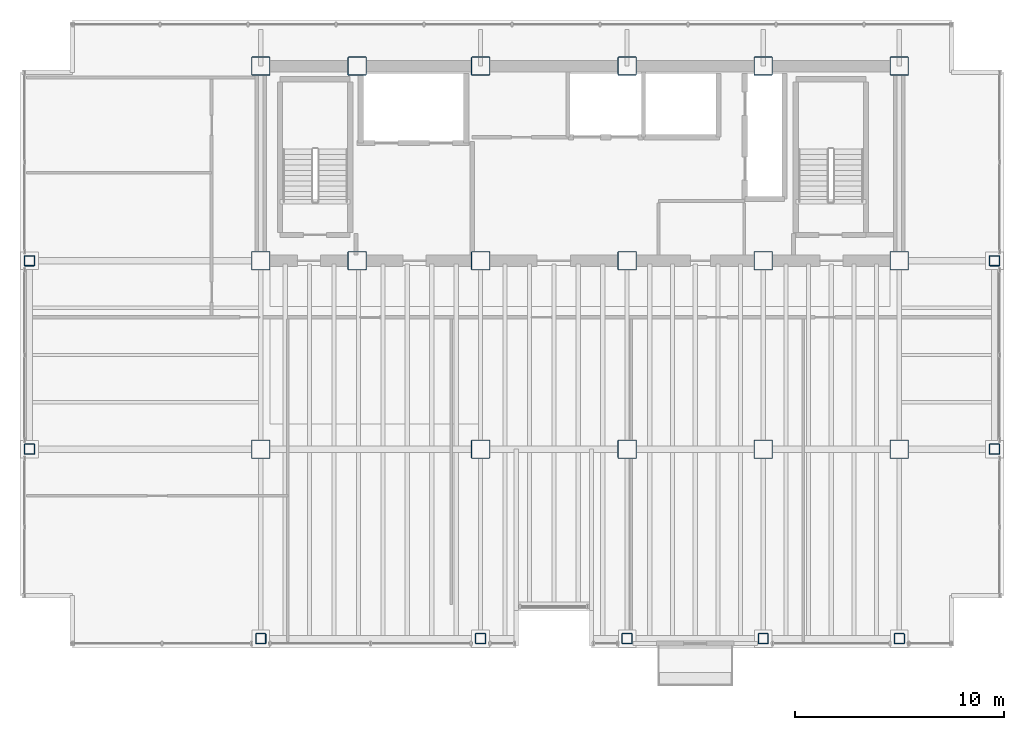
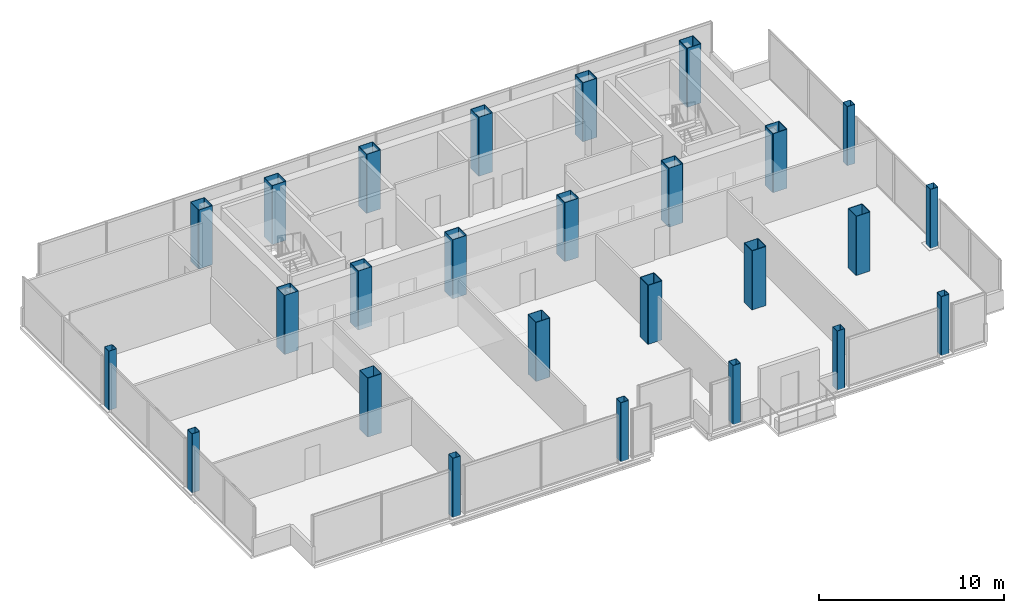
# One storey, part 1 of 20: 26 columns.
"""IFC4 building model written with IfcOpenShell, lengths in metres."""

import ifcopenshell
import ifcopenshell.guid

model = None  # the IFC model being written
_history = None  # IfcOwnerHistory: only IFC2X3 demands one
_inside = {}  # id of a spatial element -> (the spatial element, [elements in it])
_under = {}  # id of a project, library or spatial element -> (it, [spatial elements below it])
_declared = {}  # id of a project -> (the project, [libraries it declares])
_typed = {}  # id of a type object -> (the type object, [elements of that type])
_made_of = {}  # id of a material, layer set ... -> (it, [elements and type objects made of it])


def new_model(schema):
    """Start an empty IFC model of exactly this schema.

    Asked for "IFC4X3", IfcOpenShell would pick the latest addendum, in which some entities
    have other attributes; the version numbers below select the first issue.
    IFC2X3 requires an IfcOwnerHistory on every rooted entity: one is made here for all.
    """
    global model, _history
    if schema == "IFC4X3":
        model = ifcopenshell.file(schema_version=(4, 3, 0, 0))
    else:
        model = ifcopenshell.file(schema=schema)
    _inside.clear()
    _under.clear()
    _declared.clear()
    _typed.clear()
    _made_of.clear()
    _history = None
    if model.schema == "IFC2X3":
        org = make("IfcOrganization", Name="unknown")
        user = make(
            "IfcPersonAndOrganization",
            ThePerson=make("IfcPerson", FamilyName="unknown"),
            TheOrganization=org,
        )
        app = make(
            "IfcApplication",
            ApplicationDeveloper=org,
            Version="unknown",
            ApplicationFullName="unknown",
            ApplicationIdentifier="unknown",
        )
        _history = make(
            "IfcOwnerHistory",
            OwningUser=user,
            OwningApplication=app,
            ChangeAction="ADDED",
            CreationDate=0,
        )
    return model


def make(cls, **values):
    """One entity of the class cls with the attributes given. An attribute that is None is left unset."""
    return model.create_entity(
        cls, **{name: value for name, value in values.items() if value is not None}
    )


def rooted(cls, **values):
    """An entity with a GlobalId (a new one), such as an element, a storey or a relation."""
    return make(cls, GlobalId=ifcopenshell.guid.new(), OwnerHistory=_history, **values)


def si_unit(unit_type, name, prefix=None):
    """IfcSIUnit, for example si_unit("LENGTHUNIT", "METRE", prefix="MILLI")."""
    return make("IfcSIUnit", UnitType=unit_type, Prefix=prefix, Name=name)


def assignment(units):
    """IfcUnitAssignment: the units of a project."""
    return None if units is None else make("IfcUnitAssignment", Units=units)


def point(xyz):
    """IfcCartesianPoint."""
    return None if xyz is None else make("IfcCartesianPoint", Coordinates=xyz)


def direction(xyz):
    """IfcDirection."""
    return None if xyz is None else make("IfcDirection", DirectionRatios=xyz)


def frame(location, z_axis=None, x_axis=None):
    """IfcAxis2Placement3D, a coordinate frame: its origin and axes. An axis left out is left unset."""
    return make(
        "IfcAxis2Placement3D",
        Location=point(location),
        Axis=direction(z_axis),
        RefDirection=direction(x_axis),
    )


def frame_2d(location, x_axis=None):
    """IfcAxis2Placement2D, a coordinate frame in the plane: its origin and x axis."""
    return make(
        "IfcAxis2Placement2D", Location=point(location), RefDirection=direction(x_axis)
    )


def origin():
    """The frame at (0, 0, 0) with its axes left unset."""
    return frame((0.0, 0.0, 0.0))


def origin_2d():
    """The frame at (0, 0) in the plane with its x axis left unset."""
    return frame_2d((0.0, 0.0))


def place(relative_to, where):
    """IfcLocalPlacement: puts the frame where relative to a parent placement (None: the world)."""
    return make(
        "IfcLocalPlacement", PlacementRelTo=relative_to, RelativePlacement=where
    )


def context(
    kind, dimensions, precision=None, world=None, true_north=None, identifier=None
):
    """IfcGeometricRepresentationContext, for example the 3D "Model" context."""
    return make(
        "IfcGeometricRepresentationContext",
        ContextIdentifier=identifier,
        ContextType=kind,
        CoordinateSpaceDimension=dimensions,
        Precision=precision,
        WorldCoordinateSystem=world,
        TrueNorth=true_north,
    )


def subcontext(parent, identifier, kind, view, scale=None):
    """IfcGeometricRepresentationSubContext, for example "Body" below "Model"."""
    return make(
        "IfcGeometricRepresentationSubContext",
        ContextIdentifier=identifier,
        ContextType=kind,
        ParentContext=parent,
        TargetScale=scale,
        TargetView=view,
    )


def project(units=None, contexts=None):
    """IfcProject with its units and contexts."""
    return rooted(
        "IfcProject",
        Name="project",
        RepresentationContexts=contexts,
        UnitsInContext=assignment(units),
    )


def spatial(cls, under=None, at=None, **own):
    """A site, building, storey or space (cls), placed at a placement, below another one or the project."""
    s = rooted(cls, ObjectPlacement=at, **own)
    if under is not None:
        _under.setdefault(under.id(), (under, []))[1].append(s)
    return s


def profile(cls, at=None, kind="AREA", **sizes):
    """A parametric profile (cls). Its sizes go by their IFC names, for example OverallWidth=200.0."""
    return make(cls, ProfileType=kind, Position=at, **sizes)


def hollow_rectangle(**sizes):
    """IfcRectangleHollowProfileDef."""
    return profile("IfcRectangleHollowProfileDef", **sizes)


def extrude(swept, where, along, depth):
    """IfcExtrudedAreaSolid: the profile swept, set in the frame where, extruded along a direction by depth."""
    return make(
        "IfcExtrudedAreaSolid",
        SweptArea=swept,
        Position=where,
        ExtrudedDirection=direction(along),
        Depth=depth,
    )


def shape(context_of_items, identifier, shape_type, items):
    """IfcShapeRepresentation: the items that make up one representation, for example the "Body"."""
    return make(
        "IfcShapeRepresentation",
        ContextOfItems=context_of_items,
        RepresentationIdentifier=identifier,
        RepresentationType=shape_type,
        Items=items,
    )


def material(Name=None, Category=None):
    """IfcMaterial."""
    return make("IfcMaterial", Name=Name, Category=Category)


def material_profile(
    of_material, cross_section, Name=None, Category=None, Priority=None
):
    """IfcMaterialProfile: a cross section and its material."""
    return make(
        "IfcMaterialProfile",
        Name=Name,
        Material=of_material,
        Profile=cross_section,
        Priority=Priority,
        Category=Category,
    )


def profile_set(profiles, Name=None, composite=None):
    """IfcMaterialProfileSet."""
    return make(
        "IfcMaterialProfileSet",
        Name=Name,
        MaterialProfiles=profiles,
        CompositeProfile=composite,
    )


def made_of(thing, what):
    """Note that an element or type object is made of a material, layer set ...; save() writes the relation."""
    if what is not None:
        _made_of.setdefault(what.id(), (what, []))[1].append(thing)
    return thing


def type_object(cls, material=None, **own):
    """A type object (cls), such as IfcWallType, which elements share."""
    return made_of(rooted(cls, **own), material)


def element(
    cls,
    number,
    at=None,
    inside=None,
    cuts=None,
    type_object=None,
    material=None,
    context=None,
    identifier="Body",
    shape_type=None,
    held_by="IfcProductDefinitionShape",
    body=None,
    shapes=None,
    **own,
):
    """One element of the class cls, such as IfcWall. Its Tag is "e" and its number.

    at: its placement. inside: the storey or other place that contains it. cuts: it is an
    opening in that element (IfcRelVoidsElement). A single representation is given by context,
    identifier, shape_type and body (its items); several are given by shapes. held_by: the class
    of the entity that holds the representations. save() writes the other relations.
    """
    e = rooted(cls, Tag="e%d" % number, ObjectPlacement=at, **own)
    if body is not None:
        shapes = [shape(context, identifier, shape_type, body)]
    if shapes is not None:
        e.Representation = make(held_by, Representations=shapes)
    if inside is not None:
        _inside.setdefault(inside.id(), (inside, []))[1].append(e)
    if cuts is not None:
        rooted(
            "IfcRelVoidsElement", RelatingBuildingElement=cuts, RelatedOpeningElement=e
        )
    if type_object is not None:
        _typed.setdefault(type_object.id(), (type_object, []))[1].append(e)
    return made_of(e, material)


def aggregate(whole, parts):
    """IfcRelAggregates: a whole, such as a stair, and the parts it consists of."""
    return rooted("IfcRelAggregates", RelatingObject=whole, RelatedObjects=parts)


def save(model, path):
    """Write the relations noted so far, then the file.

    IfcRelAggregates (storeys below a building ...), IfcRelContainedInSpatialStructure (elements
    in a storey), IfcRelDefinesByType, IfcRelAssociatesMaterial and IfcRelDeclares: one each for
    every whole, place, type object, material and project.
    """
    for whole, parts in _under.values():
        aggregate(whole, parts)
    for where, things in _inside.values():
        rooted(
            "IfcRelContainedInSpatialStructure",
            RelatedElements=things,
            RelatingStructure=where,
        )
    for kind, things in _typed.values():
        rooted("IfcRelDefinesByType", RelatedObjects=things, RelatingType=kind)
    for what, things in _made_of.values():
        rooted("IfcRelAssociatesMaterial", RelatedObjects=things, RelatingMaterial=what)
    for by, libraries in _declared.values():
        rooted("IfcRelDeclares", RelatingContext=by, RelatedDefinitions=libraries)
    model.write(path)


model = new_model("IFC4")

# Units and contexts
model_context = context("Model", 3, precision=1e-05, world=origin(), true_north=direction((0.0, 1.0)))
body_context = subcontext(model_context, "Body", "Model", "MODEL_VIEW")
ifc_project = project(units=[si_unit("LENGTHUNIT", "METRE"), si_unit("AREAUNIT", "SQUARE_METRE"), si_unit("VOLUMEUNIT", "CUBIC_METRE"), si_unit("PLANEANGLEUNIT", "RADIAN"), si_unit("MASSUNIT", "GRAM", prefix="KILO")], contexts=[model_context])

# Site, building, storey
site_placement = place(None, origin())
site = spatial("IfcSite", under=ifc_project, at=site_placement, CompositionType="ELEMENT")
building_placement = place(site_placement, origin())
building = spatial("IfcBuilding", under=site, at=building_placement, Name="Noeulbin Bourse Tower", CompositionType="ELEMENT")
storey_placement = place(building_placement, frame((0.0, 0.0, 122.699951171875)))
storey = spatial("IfcBuildingStorey", under=building, at=storey_placement, Name="L30", CompositionType="ELEMENT", Elevation=122.699951171875)

# Columns
ifc_material_1 = material(Name="Steel S355", Category="steel")
ifc_material_profile_1 = material_profile(ifc_material_1, hollow_rectangle(XDim=0.5, YDim=0.5, WallThickness=0.02392578125, InnerFilletRadius=0.011962890625, OuterFilletRadius=0.035888671875, at=origin_2d()), Name="BOX-500x500x24", Category="LoadBearing")
ifc_profile_set_1 = profile_set([ifc_material_profile_1], Name="Steel S355")
column_type_1 = type_object("IfcColumnType", Name="COL-PER-Z2", PredefinedType="COLUMN", material=ifc_profile_set_1)
for number, where, z_axis, x_axis, name in (
    (1, (2.449951171875, 20.0, 0.0), (0.0, 0.0, 1.0), (1.0, 0.0, 0.0), "Tower Perimeter Column COL-PER-Z2 01"),
    (2, (2.449951171875, 29.0, 0.0), (0.0, 0.0, 1.0), (1.0, 0.0, 0.0), "Tower Perimeter Column COL-PER-Z2 02"),
    (3, (13.5, 10.949951171875, 0.0), (0.0, 0.0, 1.0), (1.0, 0.0, 0.0), "Tower Perimeter Column COL-PER-Z2 03"),
    (4, (24.0, 10.949951171875, 0.0), (0.0, 0.0, 1.0), (1.0, 0.0, 0.0), "Tower Perimeter Column COL-PER-Z2 04"),
    (5, (31.0, 10.949951171875, 0.0), (0.0, 0.0, 1.0), (1.0, 0.0, 0.0), "Tower Perimeter Column COL-PER-Z2 05"),
    (6, (37.5, 10.949951171875, 0.0), (0.0, 0.0, 1.0), (1.0, 0.0, 0.0), "Tower Perimeter Column COL-PER-Z2 06"),
    (7, (44.0, 10.949951171875, 0.0), (0.0, 0.0, 1.0), (1.0, 0.0, 0.0), "Tower Perimeter Column COL-PER-Z2 07"),
    (8, (48.550048828125, 20.0, 0.0), (0.0, 0.0, 1.0), (1.0, 0.0, 0.0), "Tower Perimeter Column COL-PER-Z2 08"),
    (9, (48.550048828125, 29.0, 0.0), (0.0, 0.0, 1.0), (1.0, 0.0, 0.0), "Tower Perimeter Column COL-PER-Z2 09"),
):
    element("IfcColumn", number, at=place(storey_placement, frame(where, z_axis=z_axis, x_axis=x_axis)), inside=storey, type_object=column_type_1, Name=name, PredefinedType="COLUMN", context=body_context, shape_type="SweptSolid", body=[
        extrude(hollow_rectangle(XDim=0.5, YDim=0.5, WallThickness=0.02392578125, InnerFilletRadius=0.011962890625, OuterFilletRadius=0.035888671875, at=origin_2d()), origin(), (0.0, 0.0, 1.0), 3.900146484375),
    ])
ifc_material_2 = material(Name="Steel S460", Category="steel")
ifc_material_profile_2 = material_profile(ifc_material_2, hollow_rectangle(XDim=0.89990234375, YDim=0.89990234375, WallThickness=0.034912109375, InnerFilletRadius=0.01708984375, OuterFilletRadius=0.052001953125, at=origin_2d()), Name="BOX-900x900x35", Category="LoadBearing")
ifc_profile_set_2 = profile_set([ifc_material_profile_2], Name="Steel S460")
column_type_2 = type_object("IfcColumnType", Name="COL-TRK-Z2", PredefinedType="COLUMN", material=ifc_profile_set_2)
for number, where, z_axis, x_axis, name in (
    (10, (13.5, 29.0, 0.0), (0.0, 0.0, 1.0), (1.0, 0.0, 0.0), "Tower Trunk Mega-Column COL-TRK-Z2 01"),
    (11, (13.5, 38.300048828125, 0.0), (0.0, 0.0, 1.0), (1.0, 0.0, 0.0), "Tower Trunk Mega-Column COL-TRK-Z2 02"),
    (12, (18.10009765625, 29.0, 0.0), (0.0, 0.0, 1.0), (1.0, 0.0, 0.0), "Tower Trunk Mega-Column COL-TRK-Z2 03"),
    (13, (18.10009765625, 38.300048828125, 0.0), (0.0, 0.0, 1.0), (1.0, 0.0, 0.0), "Tower Trunk Mega-Column COL-TRK-Z2 04"),
    (14, (24.0, 29.0, 0.0), (0.0, 0.0, 1.0), (1.0, 0.0, 0.0), "Tower Trunk Mega-Column COL-TRK-Z2 05"),
    (15, (24.0, 38.300048828125, 0.0), (0.0, 0.0, 1.0), (1.0, 0.0, 0.0), "Tower Trunk Mega-Column COL-TRK-Z2 06"),
    (16, (31.0, 29.0, 0.0), (0.0, 0.0, 1.0), (1.0, 0.0, 0.0), "Tower Trunk Mega-Column COL-TRK-Z2 07"),
    (17, (31.0, 38.300048828125, 0.0), (0.0, 0.0, 1.0), (1.0, 0.0, 0.0), "Tower Trunk Mega-Column COL-TRK-Z2 08"),
    (18, (37.5, 29.0, 0.0), (0.0, 0.0, 1.0), (1.0, 0.0, 0.0), "Tower Trunk Mega-Column COL-TRK-Z2 09"),
    (19, (37.5, 38.300048828125, 0.0), (0.0, 0.0, 1.0), (1.0, 0.0, 0.0), "Tower Trunk Mega-Column COL-TRK-Z2 10"),
    (20, (44.0, 29.0, 0.0), (0.0, 0.0, 1.0), (1.0, 0.0, 0.0), "Tower Trunk Mega-Column COL-TRK-Z2 11"),
    (21, (44.0, 38.300048828125, 0.0), (0.0, 0.0, 1.0), (1.0, 0.0, 0.0), "Tower Trunk Mega-Column COL-TRK-Z2 12"),
    (22, (13.5, 20.0, 0.0), (0.0, 0.0, 1.0), (1.0, 0.0, 0.0), "Tower Trunk Mega-Column COL-TRK-Z2 13"),
    (23, (24.0, 20.0, 0.0), (0.0, 0.0, 1.0), (1.0, 0.0, 0.0), "Tower Trunk Mega-Column COL-TRK-Z2 14"),
    (24, (31.0, 20.0, 0.0), (0.0, 0.0, 1.0), (1.0, 0.0, 0.0), "Tower Trunk Mega-Column COL-TRK-Z2 15"),
    (25, (37.5, 20.0, 0.0), (0.0, 0.0, 1.0), (1.0, 0.0, 0.0), "Tower Trunk Mega-Column COL-TRK-Z2 16"),
    (26, (44.0, 20.0, 0.0), (0.0, 0.0, 1.0), (1.0, 0.0, 0.0), "Tower Trunk Mega-Column COL-TRK-Z2 17"),
):
    element("IfcColumn", number, at=place(storey_placement, frame(where, z_axis=z_axis, x_axis=x_axis)), inside=storey, type_object=column_type_2, Name=name, PredefinedType="COLUMN", context=body_context, shape_type="SweptSolid", body=[
        extrude(hollow_rectangle(XDim=0.89990234375, YDim=0.89990234375, WallThickness=0.034912109375, InnerFilletRadius=0.01708984375, OuterFilletRadius=0.052001953125, at=origin_2d()), origin(), (0.0, 0.0, 1.0), 3.900146484375),
    ])

save(model, "model.ifc")
